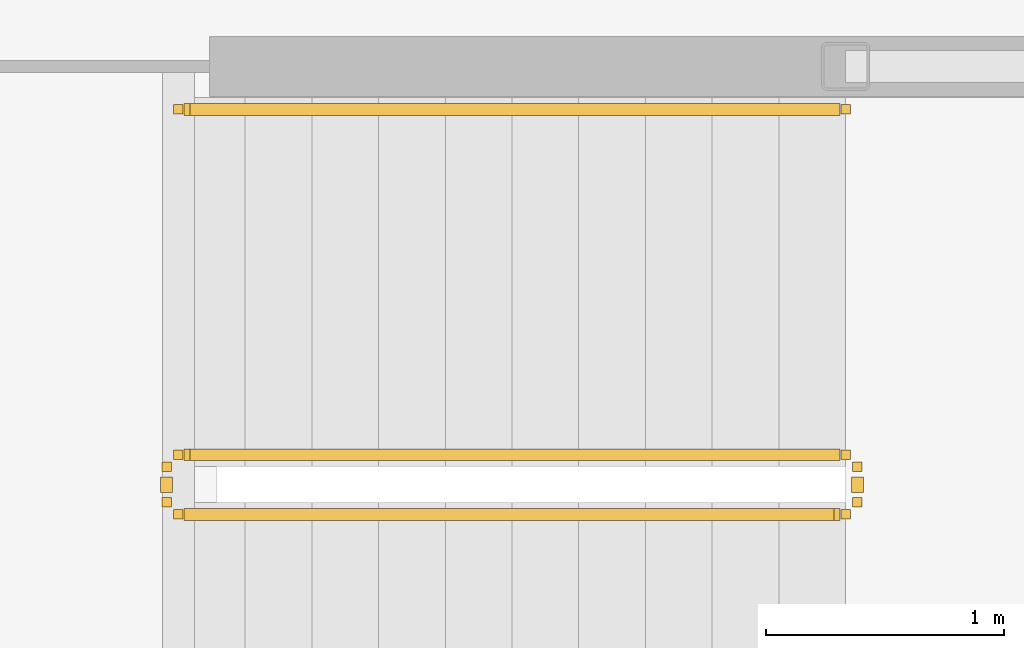
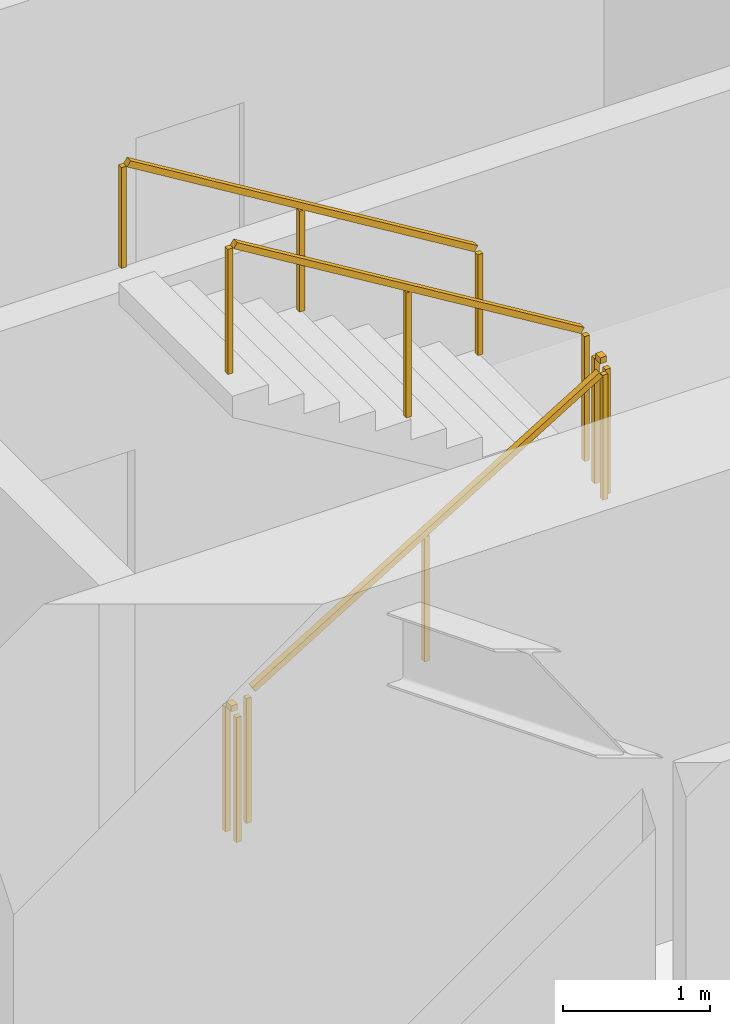
# One storey, part 28 of 31: 5 railings.
"""IFC4 building model written with IfcOpenShell, lengths in metres."""

import ifcopenshell
import ifcopenshell.guid

model = None  # the IFC model being written
_history = None  # IfcOwnerHistory: only IFC2X3 demands one
_inside = {}  # id of a spatial element -> (the spatial element, [elements in it])
_under = {}  # id of a project, library or spatial element -> (it, [spatial elements below it])
_declared = {}  # id of a project -> (the project, [libraries it declares])
_typed = {}  # id of a type object -> (the type object, [elements of that type])
_made_of = {}  # id of a material, layer set ... -> (it, [elements and type objects made of it])


def new_model(schema):
    """Start an empty IFC model of exactly this schema.

    Asked for "IFC4X3", IfcOpenShell would pick the latest addendum, in which some entities
    have other attributes; the version numbers below select the first issue.
    IFC2X3 requires an IfcOwnerHistory on every rooted entity: one is made here for all.
    """
    global model, _history
    if schema == "IFC4X3":
        model = ifcopenshell.file(schema_version=(4, 3, 0, 0))
    else:
        model = ifcopenshell.file(schema=schema)
    _inside.clear()
    _under.clear()
    _declared.clear()
    _typed.clear()
    _made_of.clear()
    _history = None
    if model.schema == "IFC2X3":
        org = make("IfcOrganization", Name="unknown")
        user = make(
            "IfcPersonAndOrganization",
            ThePerson=make("IfcPerson", FamilyName="unknown"),
            TheOrganization=org,
        )
        app = make(
            "IfcApplication",
            ApplicationDeveloper=org,
            Version="unknown",
            ApplicationFullName="unknown",
            ApplicationIdentifier="unknown",
        )
        _history = make(
            "IfcOwnerHistory",
            OwningUser=user,
            OwningApplication=app,
            ChangeAction="ADDED",
            CreationDate=0,
        )
    return model


def make(cls, **values):
    """One entity of the class cls with the attributes given. An attribute that is None is left unset."""
    return model.create_entity(
        cls, **{name: value for name, value in values.items() if value is not None}
    )


def rooted(cls, **values):
    """An entity with a GlobalId (a new one), such as an element, a storey or a relation."""
    return make(cls, GlobalId=ifcopenshell.guid.new(), OwnerHistory=_history, **values)


def si_unit(unit_type, name, prefix=None):
    """IfcSIUnit, for example si_unit("LENGTHUNIT", "METRE", prefix="MILLI")."""
    return make("IfcSIUnit", UnitType=unit_type, Prefix=prefix, Name=name)


def assignment(units):
    """IfcUnitAssignment: the units of a project."""
    return None if units is None else make("IfcUnitAssignment", Units=units)


def point(xyz):
    """IfcCartesianPoint."""
    return None if xyz is None else make("IfcCartesianPoint", Coordinates=xyz)


def direction(xyz):
    """IfcDirection."""
    return None if xyz is None else make("IfcDirection", DirectionRatios=xyz)


def frame(location, z_axis=None, x_axis=None):
    """IfcAxis2Placement3D, a coordinate frame: its origin and axes. An axis left out is left unset."""
    return make(
        "IfcAxis2Placement3D",
        Location=point(location),
        Axis=direction(z_axis),
        RefDirection=direction(x_axis),
    )


def frame_2d(location, x_axis=None):
    """IfcAxis2Placement2D, a coordinate frame in the plane: its origin and x axis."""
    return make(
        "IfcAxis2Placement2D", Location=point(location), RefDirection=direction(x_axis)
    )


def origin():
    """The frame at (0, 0, 0) with its axes left unset."""
    return frame((0.0, 0.0, 0.0))


def origin_2d():
    """The frame at (0, 0) in the plane with its x axis left unset."""
    return frame_2d((0.0, 0.0))


def place(relative_to, where):
    """IfcLocalPlacement: puts the frame where relative to a parent placement (None: the world)."""
    return make(
        "IfcLocalPlacement", PlacementRelTo=relative_to, RelativePlacement=where
    )


def context(
    kind, dimensions, precision=None, world=None, true_north=None, identifier=None
):
    """IfcGeometricRepresentationContext, for example the 3D "Model" context."""
    return make(
        "IfcGeometricRepresentationContext",
        ContextIdentifier=identifier,
        ContextType=kind,
        CoordinateSpaceDimension=dimensions,
        Precision=precision,
        WorldCoordinateSystem=world,
        TrueNorth=true_north,
    )


def subcontext(parent, identifier, kind, view, scale=None):
    """IfcGeometricRepresentationSubContext, for example "Body" below "Model"."""
    return make(
        "IfcGeometricRepresentationSubContext",
        ContextIdentifier=identifier,
        ContextType=kind,
        ParentContext=parent,
        TargetScale=scale,
        TargetView=view,
    )


def project(units=None, contexts=None):
    """IfcProject with its units and contexts."""
    return rooted(
        "IfcProject",
        Name="project",
        RepresentationContexts=contexts,
        UnitsInContext=assignment(units),
    )


def spatial(cls, under=None, at=None, **own):
    """A site, building, storey or space (cls), placed at a placement, below another one or the project."""
    s = rooted(cls, ObjectPlacement=at, **own)
    if under is not None:
        _under.setdefault(under.id(), (under, []))[1].append(s)
    return s


def profile(cls, at=None, kind="AREA", **sizes):
    """A parametric profile (cls). Its sizes go by their IFC names, for example OverallWidth=200.0."""
    return make(cls, ProfileType=kind, Position=at, **sizes)


def rectangle(**sizes):
    """IfcRectangleProfileDef."""
    return profile("IfcRectangleProfileDef", **sizes)


def extrude(swept, where, along, depth):
    """IfcExtrudedAreaSolid: the profile swept, set in the frame where, extruded along a direction by depth."""
    return make(
        "IfcExtrudedAreaSolid",
        SweptArea=swept,
        Position=where,
        ExtrudedDirection=direction(along),
        Depth=depth,
    )


def shape(context_of_items, identifier, shape_type, items):
    """IfcShapeRepresentation: the items that make up one representation, for example the "Body"."""
    return make(
        "IfcShapeRepresentation",
        ContextOfItems=context_of_items,
        RepresentationIdentifier=identifier,
        RepresentationType=shape_type,
        Items=items,
    )


def material(Name=None, Category=None):
    """IfcMaterial."""
    return make("IfcMaterial", Name=Name, Category=Category)


def made_of(thing, what):
    """Note that an element or type object is made of a material, layer set ...; save() writes the relation."""
    if what is not None:
        _made_of.setdefault(what.id(), (what, []))[1].append(thing)
    return thing


def type_object(cls, material=None, **own):
    """A type object (cls), such as IfcWallType, which elements share."""
    return made_of(rooted(cls, **own), material)


def element(
    cls,
    number,
    at=None,
    inside=None,
    cuts=None,
    type_object=None,
    material=None,
    context=None,
    identifier="Body",
    shape_type=None,
    held_by="IfcProductDefinitionShape",
    body=None,
    shapes=None,
    **own,
):
    """One element of the class cls, such as IfcWall. Its Tag is "e" and its number.

    at: its placement. inside: the storey or other place that contains it. cuts: it is an
    opening in that element (IfcRelVoidsElement). A single representation is given by context,
    identifier, shape_type and body (its items); several are given by shapes. held_by: the class
    of the entity that holds the representations. save() writes the other relations.
    """
    e = rooted(cls, Tag="e%d" % number, ObjectPlacement=at, **own)
    if body is not None:
        shapes = [shape(context, identifier, shape_type, body)]
    if shapes is not None:
        e.Representation = make(held_by, Representations=shapes)
    if inside is not None:
        _inside.setdefault(inside.id(), (inside, []))[1].append(e)
    if cuts is not None:
        rooted(
            "IfcRelVoidsElement", RelatingBuildingElement=cuts, RelatedOpeningElement=e
        )
    if type_object is not None:
        _typed.setdefault(type_object.id(), (type_object, []))[1].append(e)
    return made_of(e, material)


def aggregate(whole, parts):
    """IfcRelAggregates: a whole, such as a stair, and the parts it consists of."""
    return rooted("IfcRelAggregates", RelatingObject=whole, RelatedObjects=parts)


def save(model, path):
    """Write the relations noted so far, then the file.

    IfcRelAggregates (storeys below a building ...), IfcRelContainedInSpatialStructure (elements
    in a storey), IfcRelDefinesByType, IfcRelAssociatesMaterial and IfcRelDeclares: one each for
    every whole, place, type object, material and project.
    """
    for whole, parts in _under.values():
        aggregate(whole, parts)
    for where, things in _inside.values():
        rooted(
            "IfcRelContainedInSpatialStructure",
            RelatedElements=things,
            RelatingStructure=where,
        )
    for kind, things in _typed.values():
        rooted("IfcRelDefinesByType", RelatedObjects=things, RelatingType=kind)
    for what, things in _made_of.values():
        rooted("IfcRelAssociatesMaterial", RelatedObjects=things, RelatingMaterial=what)
    for by, libraries in _declared.values():
        rooted("IfcRelDeclares", RelatingContext=by, RelatedDefinitions=libraries)
    model.write(path)


model = new_model("IFC4")

# Units and contexts
model_context = context("Model", 3, precision=1e-05, world=origin(), true_north=direction((0.0, 1.0)))
body_context = subcontext(model_context, "Body", "Model", "MODEL_VIEW")
ifc_project = project(units=[si_unit("LENGTHUNIT", "METRE"), si_unit("AREAUNIT", "SQUARE_METRE"), si_unit("VOLUMEUNIT", "CUBIC_METRE"), si_unit("PLANEANGLEUNIT", "RADIAN"), si_unit("MASSUNIT", "GRAM", prefix="KILO")], contexts=[model_context])

# Site, building, storey
site_placement = place(None, origin())
site = spatial("IfcSite", under=ifc_project, at=site_placement, CompositionType="ELEMENT")
building_placement = place(site_placement, origin())
building = spatial("IfcBuilding", under=site, at=building_placement, Name="Kazma Halo Residences", CompositionType="ELEMENT")
storey_placement = place(building_placement, frame((0.0, 0.0, 45.14990234375)))
storey = spatial("IfcBuildingStorey", under=building, at=storey_placement, Name="L10", CompositionType="ELEMENT", Elevation=45.14990234375)

# Railings
ifc_material_1 = material(Name="Painted Steel S355", Category="steel")
railing_type_1 = type_object("IfcRailingType", Name="RLG-STAIR-GRD-1100", PredefinedType="GUARDRAIL", material=ifc_material_1)
railing_1_placement = place(storey_placement, frame((53.199951171875, 35.5, 0.170654296875)))
element("IfcRailing", 1, at=railing_1_placement, inside=storey, type_object=railing_type_1, Name="L10 ST-03 stair guard 1", PredefinedType="GUARDRAIL", context=body_context, shape_type="SweptSolid", body=[
    extrude(rectangle(XDim=0.050048828125, YDim=0.050048828125, at=origin_2d()), frame((0.036376953125, 0.0, 1.09716796875), z_axis=(0.854202870247, 0.0, 0.519939858505), x_axis=(0.0, 1.0, 0.0)), (0.0, 0.0, 1.0), 3.19287109375),
    extrude(rectangle(XDim=0.0400390625, YDim=0.0400390625, at=origin_2d()), origin(), (0.0, 0.0, 1.0), 1.0380859375),
    extrude(rectangle(XDim=0.0400390625, YDim=0.0400390625, at=origin_2d()), frame((1.39990234375, 0.0, 0.85205078125)), (0.0, 0.0, 1.0), 1.0380859375),
    extrude(rectangle(XDim=0.0400390625, YDim=0.0400390625, at=origin_2d()), frame((2.800048828125, 0.0, 1.704345703125)), (0.0, 0.0, 1.0), 1.0380859375),
])
railing_2_placement = place(storey_placement, frame((56.050048828125, 35.550048828125, 1.875)))
element("IfcRailing", 2, at=railing_2_placement, inside=storey, type_object=railing_type_1, Name="L10 ST-03 stair guard 2", PredefinedType="GUARDRAIL", context=body_context, shape_type="SweptSolid", body=[
    extrude(rectangle(XDim=0.050048828125, YDim=0.050048828125, at=origin_2d()), frame((0.0, 0.04248046875, 1.0751953125), z_axis=(0.0, 1.0, 0.0), x_axis=(-1.0, 0.0, 0.0)), (0.0, 0.0, 1.0), 0.06494140625),
    extrude(rectangle(XDim=0.0400390625, YDim=0.0400390625, at=origin_2d()), origin(), (0.0, 0.0, 1.0), 1.0380859375),
    extrude(rectangle(XDim=0.0400390625, YDim=0.0400390625, at=origin_2d()), frame((0.0, 0.14990234375, 0.0)), (0.0, 0.0, 1.0), 1.0380859375),
])
railing_3_placement = place(storey_placement, frame((56.0, 35.75, 2.045654296875)))
element("IfcRailing", 3, at=railing_3_placement, inside=storey, type_object=railing_type_1, Name="L10 ST-03 stair guard 3", PredefinedType="GUARDRAIL", context=body_context, shape_type="SweptSolid", body=[
    extrude(rectangle(XDim=0.050048828125, YDim=0.050048828125, at=origin_2d()), frame((-0.036376953125, 0.0, 1.09716796875), z_axis=(-0.854202870247, 0.0, 0.519939858505), x_axis=(0.0, -1.0, 0.0)), (0.0, 0.0, 1.0), 3.19287109375),
    extrude(rectangle(XDim=0.0400390625, YDim=0.0400390625, at=origin_2d()), origin(), (0.0, 0.0, 1.0), 1.0380859375),
    extrude(rectangle(XDim=0.0400390625, YDim=0.0400390625, at=origin_2d()), frame((-1.39990234375, 0.0, 0.85205078125)), (0.0, 0.0, 1.0), 1.0380859375),
    extrude(rectangle(XDim=0.0400390625, YDim=0.0400390625, at=origin_2d()), frame((-2.800048828125, 0.0, 1.704345703125)), (0.0, 0.0, 1.0), 1.0380859375),
])
railing_4_placement = place(storey_placement, frame((53.14990234375, 35.550048828125, 0.0)))
element("IfcRailing", 4, at=railing_4_placement, inside=storey, type_object=railing_type_1, Name="L10 ST-03 stair guard 4", PredefinedType="GUARDRAIL", context=body_context, shape_type="SweptSolid", body=[
    extrude(rectangle(XDim=0.050048828125, YDim=0.050048828125, at=origin_2d()), frame((0.0, 0.04248046875, 1.0751953125), z_axis=(0.0, 1.0, 0.0), x_axis=(-1.0, 0.0, 0.0)), (0.0, 0.0, 1.0), 0.06494140625),
    extrude(rectangle(XDim=0.0400390625, YDim=0.0400390625, at=origin_2d()), origin(), (0.0, 0.0, 1.0), 1.0380859375),
    extrude(rectangle(XDim=0.0400390625, YDim=0.0400390625, at=origin_2d()), frame((0.0, 0.14990234375, 0.0)), (0.0, 0.0, 1.0), 1.0380859375),
])
ifc_material_2 = material(Name="Brushed Stainless Steel", Category="steel")
railing_type_2 = type_object("IfcRailingType", Name="RLG-STAIR-HND-900", PredefinedType="HANDRAIL", material=ifc_material_2)
railing_5_placement = place(storey_placement, frame((56.0, 37.199951171875, 2.045654296875)))
element("IfcRailing", 5, at=railing_5_placement, inside=storey, type_object=railing_type_2, Name="L10 ST-03 stair handrail 2", PredefinedType="HANDRAIL", context=body_context, shape_type="SweptSolid", body=[
    extrude(rectangle(XDim=0.050048828125, YDim=0.050048828125, at=origin_2d()), frame((-0.036376953125, 0.0, 0.89697265625), z_axis=(-0.854202870247, 0.0, 0.519939858505), x_axis=(0.0, -1.0, 0.0)), (0.0, 0.0, 1.0), 3.19287109375),
    extrude(rectangle(XDim=0.0400390625, YDim=0.0400390625, at=origin_2d()), origin(), (0.0, 0.0, 1.0), 0.837890625),
    extrude(rectangle(XDim=0.0400390625, YDim=0.0400390625, at=origin_2d()), frame((-1.39990234375, 0.0, 0.85205078125)), (0.0, 0.0, 1.0), 0.837890625),
    extrude(rectangle(XDim=0.0400390625, YDim=0.0400390625, at=origin_2d()), frame((-2.800048828125, 0.0, 1.704345703125)), (0.0, 0.0, 1.0), 0.837890625),
])

save(model, "model.ifc")
